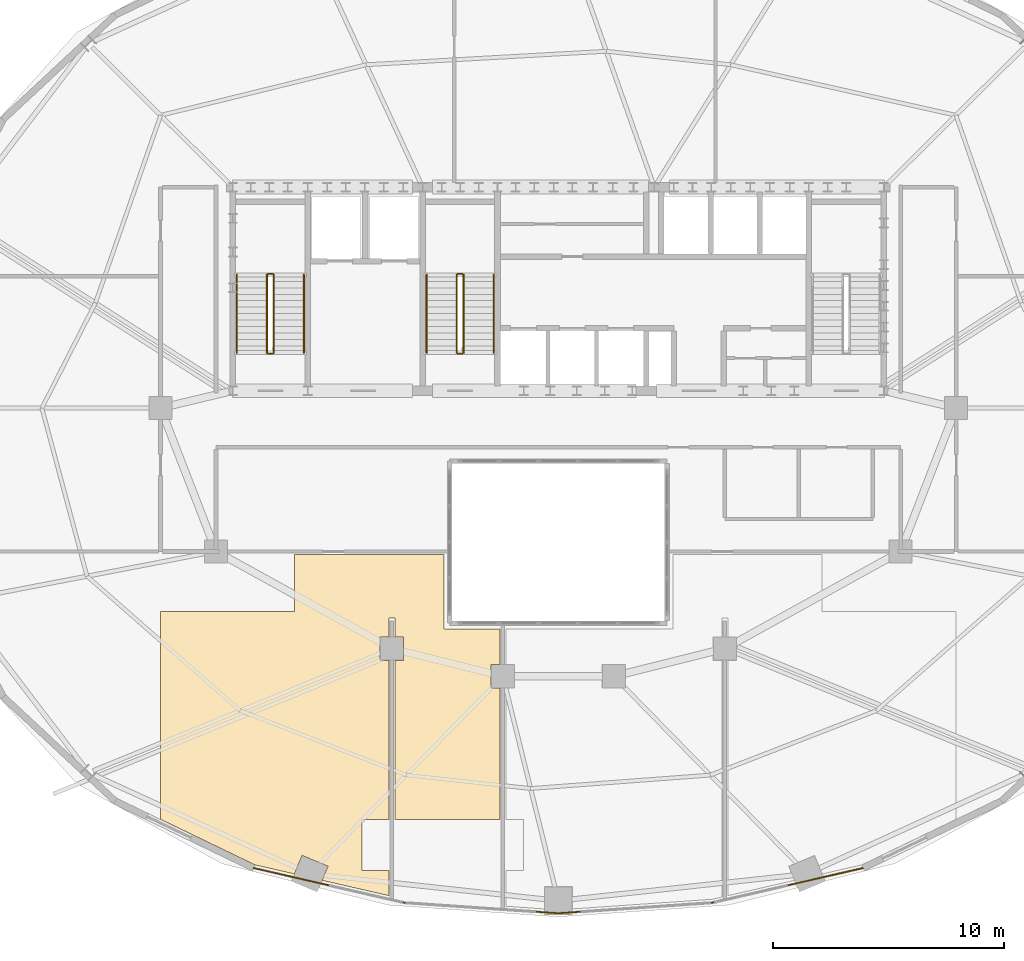
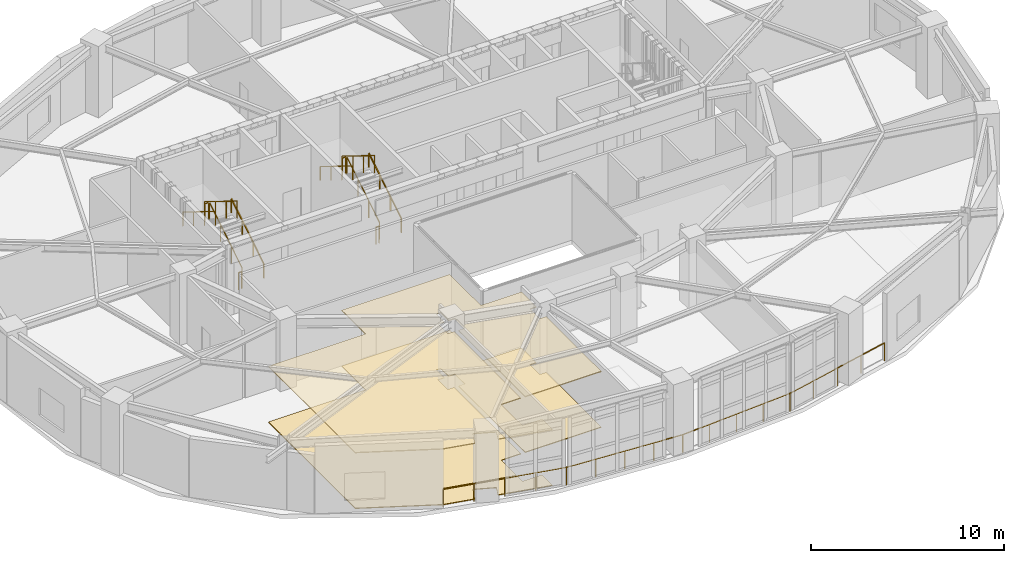
# One storey, part 12 of 13: 16 railings, 2 coverings.
"""IFC4 building model written with IfcOpenShell, lengths in metres."""

import ifcopenshell
import ifcopenshell.guid

model = None  # the IFC model being written
_history = None  # IfcOwnerHistory: only IFC2X3 demands one
_inside = {}  # id of a spatial element -> (the spatial element, [elements in it])
_under = {}  # id of a project, library or spatial element -> (it, [spatial elements below it])
_declared = {}  # id of a project -> (the project, [libraries it declares])
_typed = {}  # id of a type object -> (the type object, [elements of that type])
_made_of = {}  # id of a material, layer set ... -> (it, [elements and type objects made of it])


def new_model(schema):
    """Start an empty IFC model of exactly this schema.

    Asked for "IFC4X3", IfcOpenShell would pick the latest addendum, in which some entities
    have other attributes; the version numbers below select the first issue.
    IFC2X3 requires an IfcOwnerHistory on every rooted entity: one is made here for all.
    """
    global model, _history
    if schema == "IFC4X3":
        model = ifcopenshell.file(schema_version=(4, 3, 0, 0))
    else:
        model = ifcopenshell.file(schema=schema)
    _inside.clear()
    _under.clear()
    _declared.clear()
    _typed.clear()
    _made_of.clear()
    _history = None
    if model.schema == "IFC2X3":
        org = make("IfcOrganization", Name="unknown")
        user = make(
            "IfcPersonAndOrganization",
            ThePerson=make("IfcPerson", FamilyName="unknown"),
            TheOrganization=org,
        )
        app = make(
            "IfcApplication",
            ApplicationDeveloper=org,
            Version="unknown",
            ApplicationFullName="unknown",
            ApplicationIdentifier="unknown",
        )
        _history = make(
            "IfcOwnerHistory",
            OwningUser=user,
            OwningApplication=app,
            ChangeAction="ADDED",
            CreationDate=0,
        )
    return model


def make(cls, **values):
    """One entity of the class cls with the attributes given. An attribute that is None is left unset."""
    return model.create_entity(
        cls, **{name: value for name, value in values.items() if value is not None}
    )


def rooted(cls, **values):
    """An entity with a GlobalId (a new one), such as an element, a storey or a relation."""
    return make(cls, GlobalId=ifcopenshell.guid.new(), OwnerHistory=_history, **values)


def si_unit(unit_type, name, prefix=None):
    """IfcSIUnit, for example si_unit("LENGTHUNIT", "METRE", prefix="MILLI")."""
    return make("IfcSIUnit", UnitType=unit_type, Prefix=prefix, Name=name)


def assignment(units):
    """IfcUnitAssignment: the units of a project."""
    return None if units is None else make("IfcUnitAssignment", Units=units)


def point(xyz):
    """IfcCartesianPoint."""
    return None if xyz is None else make("IfcCartesianPoint", Coordinates=xyz)


def direction(xyz):
    """IfcDirection."""
    return None if xyz is None else make("IfcDirection", DirectionRatios=xyz)


def frame(location, z_axis=None, x_axis=None):
    """IfcAxis2Placement3D, a coordinate frame: its origin and axes. An axis left out is left unset."""
    return make(
        "IfcAxis2Placement3D",
        Location=point(location),
        Axis=direction(z_axis),
        RefDirection=direction(x_axis),
    )


def frame_2d(location, x_axis=None):
    """IfcAxis2Placement2D, a coordinate frame in the plane: its origin and x axis."""
    return make(
        "IfcAxis2Placement2D", Location=point(location), RefDirection=direction(x_axis)
    )


def origin():
    """The frame at (0, 0, 0) with its axes left unset."""
    return frame((0.0, 0.0, 0.0))


def origin_2d():
    """The frame at (0, 0) in the plane with its x axis left unset."""
    return frame_2d((0.0, 0.0))


def place(relative_to, where):
    """IfcLocalPlacement: puts the frame where relative to a parent placement (None: the world)."""
    return make(
        "IfcLocalPlacement", PlacementRelTo=relative_to, RelativePlacement=where
    )


def context(
    kind, dimensions, precision=None, world=None, true_north=None, identifier=None
):
    """IfcGeometricRepresentationContext, for example the 3D "Model" context."""
    return make(
        "IfcGeometricRepresentationContext",
        ContextIdentifier=identifier,
        ContextType=kind,
        CoordinateSpaceDimension=dimensions,
        Precision=precision,
        WorldCoordinateSystem=world,
        TrueNorth=true_north,
    )


def subcontext(parent, identifier, kind, view, scale=None):
    """IfcGeometricRepresentationSubContext, for example "Body" below "Model"."""
    return make(
        "IfcGeometricRepresentationSubContext",
        ContextIdentifier=identifier,
        ContextType=kind,
        ParentContext=parent,
        TargetScale=scale,
        TargetView=view,
    )


def project(units=None, contexts=None):
    """IfcProject with its units and contexts."""
    return rooted(
        "IfcProject",
        Name="project",
        RepresentationContexts=contexts,
        UnitsInContext=assignment(units),
    )


def spatial(cls, under=None, at=None, **own):
    """A site, building, storey or space (cls), placed at a placement, below another one or the project."""
    s = rooted(cls, ObjectPlacement=at, **own)
    if under is not None:
        _under.setdefault(under.id(), (under, []))[1].append(s)
    return s


def polyline(points):
    """IfcPolyline through the points."""
    return make("IfcPolyline", Points=[point(p) for p in points])


def profile(cls, at=None, kind="AREA", **sizes):
    """A parametric profile (cls). Its sizes go by their IFC names, for example OverallWidth=200.0."""
    return make(cls, ProfileType=kind, Position=at, **sizes)


def rectangle(**sizes):
    """IfcRectangleProfileDef."""
    return profile("IfcRectangleProfileDef", **sizes)


def outline(outer, holes=None, kind="AREA"):
    """IfcArbitraryClosedProfileDef: a profile drawn as a closed curve; with holes, ...WithVoids."""
    if holes is None:
        return make("IfcArbitraryClosedProfileDef", ProfileType=kind, OuterCurve=outer)
    return make(
        "IfcArbitraryProfileDefWithVoids",
        ProfileType=kind,
        OuterCurve=outer,
        InnerCurves=holes,
    )


def extrude(swept, where, along, depth):
    """IfcExtrudedAreaSolid: the profile swept, set in the frame where, extruded along a direction by depth."""
    return make(
        "IfcExtrudedAreaSolid",
        SweptArea=swept,
        Position=where,
        ExtrudedDirection=direction(along),
        Depth=depth,
    )


def shape(context_of_items, identifier, shape_type, items):
    """IfcShapeRepresentation: the items that make up one representation, for example the "Body"."""
    return make(
        "IfcShapeRepresentation",
        ContextOfItems=context_of_items,
        RepresentationIdentifier=identifier,
        RepresentationType=shape_type,
        Items=items,
    )


def material(Name=None, Category=None):
    """IfcMaterial."""
    return make("IfcMaterial", Name=Name, Category=Category)


def layer(
    of_material, thickness, ventilated=None, Name=None, Category=None, Priority=None
):
    """IfcMaterialLayer: one layer of a wall or slab, of a material (None: an air gap)."""
    return make(
        "IfcMaterialLayer",
        Material=of_material,
        LayerThickness=thickness,
        IsVentilated=ventilated,
        Name=Name,
        Category=Category,
        Priority=Priority,
    )


def layer_set(layers, Name=None):
    """IfcMaterialLayerSet."""
    return make("IfcMaterialLayerSet", MaterialLayers=layers, LayerSetName=Name)


def made_of(thing, what):
    """Note that an element or type object is made of a material, layer set ...; save() writes the relation."""
    if what is not None:
        _made_of.setdefault(what.id(), (what, []))[1].append(thing)
    return thing


def type_object(cls, material=None, **own):
    """A type object (cls), such as IfcWallType, which elements share."""
    return made_of(rooted(cls, **own), material)


def element(
    cls,
    number,
    at=None,
    inside=None,
    cuts=None,
    type_object=None,
    material=None,
    context=None,
    identifier="Body",
    shape_type=None,
    held_by="IfcProductDefinitionShape",
    body=None,
    shapes=None,
    **own,
):
    """One element of the class cls, such as IfcWall. Its Tag is "e" and its number.

    at: its placement. inside: the storey or other place that contains it. cuts: it is an
    opening in that element (IfcRelVoidsElement). A single representation is given by context,
    identifier, shape_type and body (its items); several are given by shapes. held_by: the class
    of the entity that holds the representations. save() writes the other relations.
    """
    e = rooted(cls, Tag="e%d" % number, ObjectPlacement=at, **own)
    if body is not None:
        shapes = [shape(context, identifier, shape_type, body)]
    if shapes is not None:
        e.Representation = make(held_by, Representations=shapes)
    if inside is not None:
        _inside.setdefault(inside.id(), (inside, []))[1].append(e)
    if cuts is not None:
        rooted(
            "IfcRelVoidsElement", RelatingBuildingElement=cuts, RelatedOpeningElement=e
        )
    if type_object is not None:
        _typed.setdefault(type_object.id(), (type_object, []))[1].append(e)
    return made_of(e, material)


def aggregate(whole, parts):
    """IfcRelAggregates: a whole, such as a stair, and the parts it consists of."""
    return rooted("IfcRelAggregates", RelatingObject=whole, RelatedObjects=parts)


def save(model, path):
    """Write the relations noted so far, then the file.

    IfcRelAggregates (storeys below a building ...), IfcRelContainedInSpatialStructure (elements
    in a storey), IfcRelDefinesByType, IfcRelAssociatesMaterial and IfcRelDeclares: one each for
    every whole, place, type object, material and project.
    """
    for whole, parts in _under.values():
        aggregate(whole, parts)
    for where, things in _inside.values():
        rooted(
            "IfcRelContainedInSpatialStructure",
            RelatedElements=things,
            RelatingStructure=where,
        )
    for kind, things in _typed.values():
        rooted("IfcRelDefinesByType", RelatedObjects=things, RelatingType=kind)
    for what, things in _made_of.values():
        rooted("IfcRelAssociatesMaterial", RelatedObjects=things, RelatingMaterial=what)
    for by, libraries in _declared.values():
        rooted("IfcRelDeclares", RelatingContext=by, RelatedDefinitions=libraries)
    model.write(path)


model = new_model("IFC4")

# Units and contexts
model_context = context("Model", 3, precision=1e-05, world=origin(), true_north=direction((0.0, 1.0)))
body_context = subcontext(model_context, "Body", "Model", "MODEL_VIEW")
ifc_project = project(units=[si_unit("LENGTHUNIT", "METRE"), si_unit("AREAUNIT", "SQUARE_METRE"), si_unit("VOLUMEUNIT", "CUBIC_METRE"), si_unit("PLANEANGLEUNIT", "RADIAN"), si_unit("MASSUNIT", "GRAM", prefix="KILO")], contexts=[model_context])

# Site, building, storey
site_placement = place(None, origin())
site = spatial("IfcSite", under=ifc_project, at=site_placement, CompositionType="ELEMENT")
building_placement = place(site_placement, origin())
building = spatial("IfcBuilding", under=site, at=building_placement, Name="Haldorwick Loom Tower", CompositionType="ELEMENT")
storey_placement = place(building_placement, frame((0.0, 0.0, 188.949951171875)))
storey = spatial("IfcBuildingStorey", under=building, at=storey_placement, Name="L51", CompositionType="ELEMENT", Elevation=188.949951171875)

# Coverings
ifc_material_1 = material(Name="Mineral Fibre Acoustic Ceiling Tile")
ifc_layer_1 = layer(ifc_material_1, 0.054931640625, Name="Mineral Fibre Acoustic Ceiling Tile")
ifc_layer_set_1 = layer_set([ifc_layer_1], Name="Mineral Fibre Acoustic Ceiling Tile")
covering_type_1 = type_object("IfcCoveringType", Name="ARC-COV-CEIL2", PredefinedType="CEILING", material=ifc_layer_set_1)
covering_1_placement = place(storey_placement, frame((0.0, 0.0, 3.509033203125)))
element("IfcCovering", 1, at=covering_1_placement, inside=storey, type_object=covering_type_1, Name="L51 Acoustic Suspended Ceiling 2", PredefinedType="CEILING", context=body_context, shape_type="SweptSolid", body=[
    extrude(outline(polyline([(28.929931640625, 8.199951171875), (33.469970703125, 8.199951171875), (33.469970703125, 13.89208984375), (33.092041015625, 13.89208984375), (33.092041015625, 14.907958984375), (33.469970703125, 14.907958984375), (33.469970703125, 16.449951171875), (31.050048828125, 16.449951171875), (31.050048828125, 19.669921875), (24.60009765625, 19.669921875), (24.60009765625, 17.199951171875), (18.800048828125, 17.199951171875), (18.800048828125, 8.217041015625), (22.876953125, 6.246826171875), (24.586181640625, 5.853759765625), (24.91748046875, 6.65380859375), (26.041015625, 6.1884765625), (25.787841796875, 5.577392578125), (28.669921875, 4.914306640625), (28.669921875, 6.0), (27.5, 6.0), (27.5, 8.199951171875), (28.669921875, 8.199951171875), (28.669921875, 15.092041015625), (28.2919921875, 15.092041015625), (28.2919921875, 16.10791015625), (28.669921875, 16.10791015625), (28.669921875, 16.909912109375), (28.670166015625, 16.912109375), (28.67041015625, 16.913818359375), (28.6708984375, 16.915771484375), (28.67138671875, 16.917724609375), (28.67236328125, 16.91943359375), (28.67333984375, 16.921142578125), (28.674560546875, 16.922607421875), (28.67578125, 16.924072265625), (28.67724609375, 16.925537109375), (28.678955078125, 16.926513671875), (28.6806640625, 16.927490234375), (28.682373046875, 16.928466796875), (28.68408203125, 16.92919921875), (28.68603515625, 16.9296875), (28.68798828125, 16.929931640625), (28.68994140625, 16.929931640625), (28.909912109375, 16.929931640625), (28.912109375, 16.929931640625), (28.913818359375, 16.9296875), (28.915771484375, 16.92919921875), (28.917724609375, 16.928466796875), (28.91943359375, 16.927490234375), (28.921142578125, 16.926513671875), (28.922607421875, 16.925537109375), (28.924072265625, 16.924072265625), (28.925537109375, 16.922607421875), (28.926513671875, 16.921142578125), (28.927490234375, 16.91943359375), (28.928466796875, 16.917724609375), (28.92919921875, 16.915771484375), (28.9296875, 16.913818359375), (28.929931640625, 16.912109375), (28.929931640625, 16.909912109375), (28.929931640625, 16.10791015625), (29.30810546875, 16.10791015625), (29.30810546875, 15.092041015625), (28.929931640625, 15.092041015625), (28.929931640625, 8.199951171875)])), origin(), (0.0, 0.0, 1.0), 0.054931640625),
])
ifc_material_2 = material(Name="Polished Aggregate Terrazzo Finish")
ifc_layer_2 = layer(ifc_material_2, 0.044921875, Name="Polished Aggregate Terrazzo Finish")
ifc_layer_set_2 = layer_set([ifc_layer_2], Name="Polished Aggregate Terrazzo Finish")
covering_type_2 = type_object("IfcCoveringType", Name="ARC-COV-FLOOR2", PredefinedType="FLOORING", material=ifc_layer_set_2)
covering_2_placement = place(storey_placement, origin())
element("IfcCovering", 2, at=covering_2_placement, inside=storey, type_object=covering_type_2, Name="L51 Floor Finish 2", PredefinedType="FLOORING", context=body_context, shape_type="SweptSolid", body=[
    extrude(outline(polyline([(28.929931640625, 8.199951171875), (33.469970703125, 8.199951171875), (33.469970703125, 13.89208984375), (33.092041015625, 13.89208984375), (33.092041015625, 14.907958984375), (33.469970703125, 14.907958984375), (33.469970703125, 16.449951171875), (31.050048828125, 16.449951171875), (31.050048828125, 19.669921875), (24.60009765625, 19.669921875), (24.60009765625, 17.199951171875), (18.800048828125, 17.199951171875), (18.800048828125, 8.217041015625), (22.876953125, 6.246826171875), (24.586181640625, 5.853759765625), (24.91748046875, 6.65380859375), (26.041015625, 6.1884765625), (25.787841796875, 5.577392578125), (28.669921875, 4.914306640625), (28.669921875, 6.0), (27.5, 6.0), (27.5, 8.199951171875), (28.669921875, 8.199951171875), (28.669921875, 15.092041015625), (28.2919921875, 15.092041015625), (28.2919921875, 16.10791015625), (28.669921875, 16.10791015625), (28.669921875, 16.909912109375), (28.670166015625, 16.912109375), (28.67041015625, 16.913818359375), (28.6708984375, 16.915771484375), (28.67138671875, 16.917724609375), (28.67236328125, 16.91943359375), (28.67333984375, 16.921142578125), (28.674560546875, 16.922607421875), (28.67578125, 16.924072265625), (28.67724609375, 16.925537109375), (28.678955078125, 16.926513671875), (28.6806640625, 16.927490234375), (28.682373046875, 16.928466796875), (28.68408203125, 16.92919921875), (28.68603515625, 16.9296875), (28.68798828125, 16.929931640625), (28.68994140625, 16.929931640625), (28.909912109375, 16.929931640625), (28.912109375, 16.929931640625), (28.913818359375, 16.9296875), (28.915771484375, 16.92919921875), (28.917724609375, 16.928466796875), (28.91943359375, 16.927490234375), (28.921142578125, 16.926513671875), (28.922607421875, 16.925537109375), (28.924072265625, 16.924072265625), (28.925537109375, 16.922607421875), (28.926513671875, 16.921142578125), (28.927490234375, 16.91943359375), (28.928466796875, 16.917724609375), (28.92919921875, 16.915771484375), (28.9296875, 16.913818359375), (28.929931640625, 16.912109375), (28.929931640625, 16.909912109375), (28.929931640625, 16.10791015625), (29.30810546875, 16.10791015625), (29.30810546875, 15.092041015625), (28.929931640625, 15.092041015625), (28.929931640625, 8.199951171875)])), origin(), (0.0, 0.0, 1.0), 0.045166015625),
])

# Railings
ifc_material_3 = material(Name="Galvanized Steel CSA G40.21 350W", Category="steel")
railing_type_1 = type_object("IfcRailingType", Name="ARC-RLG-BAL115", PredefinedType="BALUSTRADE", material=ifc_material_3)
railing_1_placement = place(storey_placement, frame((22.82861328125, 6.109130859375, 0.0)))
element("IfcRailing", 3, at=railing_1_placement, inside=storey, type_object=railing_type_1, Name="L51 Curtain-Wall Sill Safety Guardrail 17", PredefinedType="BALUSTRADE", context=body_context, shape_type="SweptSolid", body=[
    extrude(rectangle(XDim=0.048095703125, YDim=0.048095703125, at=origin_2d()), frame((0.0, 0.0, 1.1259765625), z_axis=(0.974557343474, -0.224138315065, 0.0), x_axis=(0.224138315065, 0.974557343474, 0.0)), (0.0, 0.0, 1.0), 6.676025390625),
    extrude(rectangle(XDim=0.0419921875, YDim=0.0419921875, at=origin_2d()), origin(), (0.0, 0.0, 1.0), 1.101806640625),
    extrude(rectangle(XDim=0.0419921875, YDim=0.0419921875, at=origin_2d()), frame((1.62646484375, -0.3740234375, 0.0)), (0.0, 0.0, 1.0), 1.101806640625),
    extrude(rectangle(XDim=0.0419921875, YDim=0.0419921875, at=origin_2d()), frame((3.2529296875, -0.748046875, 0.0)), (0.0, 0.0, 1.0), 1.101806640625),
    extrude(rectangle(XDim=0.0419921875, YDim=0.0419921875, at=origin_2d()), frame((4.879638671875, -1.122314453125, 0.0)), (0.0, 0.0, 1.0), 1.101806640625),
    extrude(rectangle(XDim=0.0419921875, YDim=0.0419921875, at=origin_2d()), frame((6.506103515625, -1.496337890625, 0.0)), (0.0, 0.0, 1.0), 1.101806640625),
])
railing_2_placement = place(storey_placement, frame((29.334716796875, 4.61279296875, 0.0)))
element("IfcRailing", 4, at=railing_2_placement, inside=storey, type_object=railing_type_1, Name="L51 Curtain-Wall Sill Safety Guardrail 18", PredefinedType="BALUSTRADE", context=body_context, shape_type="SweptSolid", body=[
    extrude(rectangle(XDim=0.048095703125, YDim=0.048095703125, at=origin_2d()), frame((0.0, 0.0, 1.1259765625), z_axis=(0.99764992135, -0.068517402386, 0.0), x_axis=(0.068517402386, 0.99764992135, 0.0)), (0.0, 0.0, 1.0), 6.680908203125),
    extrude(rectangle(XDim=0.0419921875, YDim=0.0419921875, at=origin_2d()), origin(), (0.0, 0.0, 1.0), 1.101806640625),
    extrude(rectangle(XDim=0.0419921875, YDim=0.0419921875, at=origin_2d()), frame((1.666259765625, -0.114501953125, 0.0)), (0.0, 0.0, 1.0), 1.101806640625),
    extrude(rectangle(XDim=0.0419921875, YDim=0.0419921875, at=origin_2d()), frame((3.33251953125, -0.22900390625, 0.0)), (0.0, 0.0, 1.0), 1.101806640625),
    extrude(rectangle(XDim=0.0419921875, YDim=0.0419921875, at=origin_2d()), frame((4.9990234375, -0.34326171875, 0.0)), (0.0, 0.0, 1.0), 1.101806640625),
    extrude(rectangle(XDim=0.0419921875, YDim=0.0419921875, at=origin_2d()), frame((6.665283203125, -0.457763671875, 0.0)), (0.0, 0.0, 1.0), 1.101806640625),
])
railing_3_placement = place(storey_placement, frame((36.0, 4.155029296875, 0.0)))
element("IfcRailing", 5, at=railing_3_placement, inside=storey, type_object=railing_type_1, Name="L51 Curtain-Wall Sill Safety Guardrail 19", PredefinedType="BALUSTRADE", context=body_context, shape_type="SweptSolid", body=[
    extrude(rectangle(XDim=0.048095703125, YDim=0.048095703125, at=origin_2d()), frame((0.0, 0.0, 1.1259765625), z_axis=(0.99764992135, 0.068517402386, 0.0), x_axis=(-0.068517402386, 0.99764992135, 0.0)), (0.0, 0.0, 1.0), 6.680908203125),
    extrude(rectangle(XDim=0.0419921875, YDim=0.0419921875, at=origin_2d()), origin(), (0.0, 0.0, 1.0), 1.101806640625),
    extrude(rectangle(XDim=0.0419921875, YDim=0.0419921875, at=origin_2d()), frame((1.666259765625, 0.114501953125, 0.0)), (0.0, 0.0, 1.0), 1.101806640625),
    extrude(rectangle(XDim=0.0419921875, YDim=0.0419921875, at=origin_2d()), frame((3.33251953125, 0.22900390625, 0.0)), (0.0, 0.0, 1.0), 1.101806640625),
    extrude(rectangle(XDim=0.0419921875, YDim=0.0419921875, at=origin_2d()), frame((4.9990234375, 0.34326171875, 0.0)), (0.0, 0.0, 1.0), 1.101806640625),
    extrude(rectangle(XDim=0.0419921875, YDim=0.0419921875, at=origin_2d()), frame((6.665283203125, 0.457763671875, 0.0)), (0.0, 0.0, 1.0), 1.101806640625),
])
railing_4_placement = place(storey_placement, frame((42.665283203125, 4.61279296875, 0.0)))
element("IfcRailing", 6, at=railing_4_placement, inside=storey, type_object=railing_type_1, Name="L51 Curtain-Wall Sill Safety Guardrail 20", PredefinedType="BALUSTRADE", context=body_context, shape_type="SweptSolid", body=[
    extrude(rectangle(XDim=0.048095703125, YDim=0.048095703125, at=origin_2d()), frame((0.0, 0.0, 1.1259765625), z_axis=(0.974557343474, 0.224138315065, 0.0), x_axis=(-0.224138315065, 0.974557343474, 0.0)), (0.0, 0.0, 1.0), 6.676025390625),
    extrude(rectangle(XDim=0.0419921875, YDim=0.0419921875, at=origin_2d()), origin(), (0.0, 0.0, 1.0), 1.101806640625),
    extrude(rectangle(XDim=0.0419921875, YDim=0.0419921875, at=origin_2d()), frame((1.62646484375, 0.3740234375, 0.0)), (0.0, 0.0, 1.0), 1.101806640625),
    extrude(rectangle(XDim=0.0419921875, YDim=0.0419921875, at=origin_2d()), frame((3.2529296875, 0.748046875, 0.0)), (0.0, 0.0, 1.0), 1.101806640625),
    extrude(rectangle(XDim=0.0419921875, YDim=0.0419921875, at=origin_2d()), frame((4.879638671875, 1.122314453125, 0.0)), (0.0, 0.0, 1.0), 1.101806640625),
    extrude(rectangle(XDim=0.0419921875, YDim=0.0419921875, at=origin_2d()), frame((6.506103515625, 1.496337890625, 0.0)), (0.0, 0.0, 1.0), 1.101806640625),
])
ifc_material_4 = material(Name="Steel CSA G40.21 350W", Category="steel")
railing_type_2 = type_object("IfcRailingType", Name="ARC-RLG-GUARD112", PredefinedType="GUARDRAIL", material=ifc_material_4)
railing_5_placement = place(storey_placement, frame((23.699951171875, 28.39990234375, 0.173095703125)))
element("IfcRailing", 7, at=railing_5_placement, inside=storey, type_object=railing_type_2, Name="L51 ST-01 stair guard 1", PredefinedType="GUARDRAIL", context=body_context, shape_type="SweptSolid", body=[
    extrude(rectangle(XDim=0.048095703125, YDim=0.048095703125, at=origin_2d()), frame((0.0, 0.0, 1.076171875), z_axis=(0.0, 0.850623216509, 0.525775754039), x_axis=(-1.0, 0.0, 0.0)), (0.0, 0.0, 1.0), 3.9501953125),
    extrude(rectangle(XDim=0.0419921875, YDim=0.0419921875, at=origin_2d()), origin(), (0.0, 0.0, 1.0), 1.052001953125),
    extrude(rectangle(XDim=0.0419921875, YDim=0.0419921875, at=origin_2d()), frame((0.0, 1.1201171875, 0.6923828125)), (0.0, 0.0, 1.0), 1.052001953125),
    extrude(rectangle(XDim=0.0419921875, YDim=0.0419921875, at=origin_2d()), frame((0.0, 2.239990234375, 1.384521484375)), (0.0, 0.0, 1.0), 1.052001953125),
    extrude(rectangle(XDim=0.0419921875, YDim=0.0419921875, at=origin_2d()), frame((0.0, 3.360107421875, 2.076904296875)), (0.0, 0.0, 1.0), 1.052001953125),
])
railing_6_placement = place(storey_placement, frame((23.64990234375, 31.81005859375, 2.25)))
element("IfcRailing", 8, at=railing_6_placement, inside=storey, type_object=railing_type_2, Name="L51 ST-01 stair guard 2", PredefinedType="GUARDRAIL", context=body_context, shape_type="SweptSolid", body=[
    extrude(rectangle(XDim=0.048095703125, YDim=0.048095703125, at=origin_2d()), frame((0.0, 0.0, 1.076171875), z_axis=(-1.0, 0.0, 0.0), x_axis=(0.0, -1.0, 0.0)), (0.0, 0.0, 1.0), 0.199951171875),
    extrude(rectangle(XDim=0.0419921875, YDim=0.0419921875, at=origin_2d()), origin(), (0.0, 0.0, 1.0), 1.052001953125),
    extrude(rectangle(XDim=0.0419921875, YDim=0.0419921875, at=origin_2d()), frame((-0.199951171875, 0.0, 0.0)), (0.0, 0.0, 1.0), 1.052001953125),
])
railing_7_placement = place(storey_placement, frame((23.39990234375, 31.760009765625, 2.423095703125)))
element("IfcRailing", 9, at=railing_7_placement, inside=storey, type_object=railing_type_2, Name="L51 ST-01 stair guard 3", PredefinedType="GUARDRAIL", context=body_context, shape_type="SweptSolid", body=[
    extrude(rectangle(XDim=0.048095703125, YDim=0.048095703125, at=origin_2d()), frame((0.0, 0.0, 1.076171875), z_axis=(0.0, -0.850623216509, 0.525775754039), x_axis=(1.0, 0.0, 0.0)), (0.0, 0.0, 1.0), 3.9501953125),
    extrude(rectangle(XDim=0.0419921875, YDim=0.0419921875, at=origin_2d()), origin(), (0.0, 0.0, 1.0), 1.052001953125),
    extrude(rectangle(XDim=0.0419921875, YDim=0.0419921875, at=origin_2d()), frame((0.0, -1.1201171875, 0.6923828125)), (0.0, 0.0, 1.0), 1.052001953125),
    extrude(rectangle(XDim=0.0419921875, YDim=0.0419921875, at=origin_2d()), frame((0.0, -2.239990234375, 1.384521484375)), (0.0, 0.0, 1.0), 1.052001953125),
    extrude(rectangle(XDim=0.0419921875, YDim=0.0419921875, at=origin_2d()), frame((0.0, -3.360107421875, 2.076904296875)), (0.0, 0.0, 1.0), 1.052001953125),
])
railing_8_placement = place(storey_placement, frame((23.64990234375, 28.35009765625, 0.0)))
element("IfcRailing", 10, at=railing_8_placement, inside=storey, type_object=railing_type_2, Name="L51 ST-01 stair guard 4", PredefinedType="GUARDRAIL", context=body_context, shape_type="SweptSolid", body=[
    extrude(rectangle(XDim=0.048095703125, YDim=0.048095703125, at=origin_2d()), frame((0.0, 0.0, 1.076171875), z_axis=(-1.0, 0.0, 0.0), x_axis=(0.0, -1.0, 0.0)), (0.0, 0.0, 1.0), 0.199951171875),
    extrude(rectangle(XDim=0.0419921875, YDim=0.0419921875, at=origin_2d()), origin(), (0.0, 0.0, 1.0), 1.052001953125),
    extrude(rectangle(XDim=0.0419921875, YDim=0.0419921875, at=origin_2d()), frame((-0.199951171875, 0.0, 0.0)), (0.0, 0.0, 1.0), 1.052001953125),
])
railing_9_placement = place(storey_placement, frame((31.89990234375, 28.39990234375, 0.173095703125)))
element("IfcRailing", 11, at=railing_9_placement, inside=storey, type_object=railing_type_2, Name="L51 ST-03 stair guard 1", PredefinedType="GUARDRAIL", context=body_context, shape_type="SweptSolid", body=[
    extrude(rectangle(XDim=0.048095703125, YDim=0.048095703125, at=origin_2d()), frame((0.0, 0.0, 1.076171875), z_axis=(0.0, 0.850623216509, 0.525775754039), x_axis=(-1.0, 0.0, 0.0)), (0.0, 0.0, 1.0), 3.9501953125),
    extrude(rectangle(XDim=0.0419921875, YDim=0.0419921875, at=origin_2d()), origin(), (0.0, 0.0, 1.0), 1.052001953125),
    extrude(rectangle(XDim=0.0419921875, YDim=0.0419921875, at=origin_2d()), frame((0.0, 1.1201171875, 0.6923828125)), (0.0, 0.0, 1.0), 1.052001953125),
    extrude(rectangle(XDim=0.0419921875, YDim=0.0419921875, at=origin_2d()), frame((0.0, 2.239990234375, 1.384521484375)), (0.0, 0.0, 1.0), 1.052001953125),
    extrude(rectangle(XDim=0.0419921875, YDim=0.0419921875, at=origin_2d()), frame((0.0, 3.360107421875, 2.076904296875)), (0.0, 0.0, 1.0), 1.052001953125),
])
railing_10_placement = place(storey_placement, frame((31.85009765625, 31.81005859375, 2.25)))
element("IfcRailing", 12, at=railing_10_placement, inside=storey, type_object=railing_type_2, Name="L51 ST-03 stair guard 2", PredefinedType="GUARDRAIL", context=body_context, shape_type="SweptSolid", body=[
    extrude(rectangle(XDim=0.048095703125, YDim=0.048095703125, at=origin_2d()), frame((0.0, 0.0, 1.076171875), z_axis=(-1.0, 0.0, 0.0), x_axis=(0.0, -1.0, 0.0)), (0.0, 0.0, 1.0), 0.2001953125),
    extrude(rectangle(XDim=0.0419921875, YDim=0.0419921875, at=origin_2d()), origin(), (0.0, 0.0, 1.0), 1.052001953125),
    extrude(rectangle(XDim=0.0419921875, YDim=0.0419921875, at=origin_2d()), frame((-0.2001953125, 0.0, 0.0)), (0.0, 0.0, 1.0), 1.052001953125),
])
railing_11_placement = place(storey_placement, frame((31.60009765625, 31.760009765625, 2.423095703125)))
element("IfcRailing", 13, at=railing_11_placement, inside=storey, type_object=railing_type_2, Name="L51 ST-03 stair guard 3", PredefinedType="GUARDRAIL", context=body_context, shape_type="SweptSolid", body=[
    extrude(rectangle(XDim=0.048095703125, YDim=0.048095703125, at=origin_2d()), frame((0.0, 0.0, 1.076171875), z_axis=(0.0, -0.850623216509, 0.525775754039), x_axis=(1.0, 0.0, 0.0)), (0.0, 0.0, 1.0), 3.9501953125),
    extrude(rectangle(XDim=0.0419921875, YDim=0.0419921875, at=origin_2d()), origin(), (0.0, 0.0, 1.0), 1.052001953125),
    extrude(rectangle(XDim=0.0419921875, YDim=0.0419921875, at=origin_2d()), frame((0.0, -1.1201171875, 0.6923828125)), (0.0, 0.0, 1.0), 1.052001953125),
    extrude(rectangle(XDim=0.0419921875, YDim=0.0419921875, at=origin_2d()), frame((0.0, -2.239990234375, 1.384521484375)), (0.0, 0.0, 1.0), 1.052001953125),
    extrude(rectangle(XDim=0.0419921875, YDim=0.0419921875, at=origin_2d()), frame((0.0, -3.360107421875, 2.076904296875)), (0.0, 0.0, 1.0), 1.052001953125),
])
railing_12_placement = place(storey_placement, frame((31.85009765625, 28.35009765625, 0.0)))
element("IfcRailing", 14, at=railing_12_placement, inside=storey, type_object=railing_type_2, Name="L51 ST-03 stair guard 4", PredefinedType="GUARDRAIL", context=body_context, shape_type="SweptSolid", body=[
    extrude(rectangle(XDim=0.048095703125, YDim=0.048095703125, at=origin_2d()), frame((0.0, 0.0, 1.076171875), z_axis=(-1.0, 0.0, 0.0), x_axis=(0.0, -1.0, 0.0)), (0.0, 0.0, 1.0), 0.2001953125),
    extrude(rectangle(XDim=0.0419921875, YDim=0.0419921875, at=origin_2d()), origin(), (0.0, 0.0, 1.0), 1.052001953125),
    extrude(rectangle(XDim=0.0419921875, YDim=0.0419921875, at=origin_2d()), frame((-0.2001953125, 0.0, 0.0)), (0.0, 0.0, 1.0), 1.052001953125),
])
railing_type_3 = type_object("IfcRailingType", Name="ARC-RLG-HAND092", PredefinedType="HANDRAIL", material=ifc_material_4)
railing_13_placement = place(storey_placement, frame((25.0, 28.39990234375, 0.173095703125)))
element("IfcRailing", 15, at=railing_13_placement, inside=storey, type_object=railing_type_3, Name="L51 ST-01 stair handrail 1", PredefinedType="HANDRAIL", context=body_context, shape_type="SweptSolid", body=[
    extrude(rectangle(XDim=0.048095703125, YDim=0.048095703125, at=origin_2d()), frame((0.0, 0.0, 0.8759765625), z_axis=(0.0, 0.850623216509, 0.525775754039), x_axis=(-1.0, 0.0, 0.0)), (0.0, 0.0, 1.0), 3.9501953125),
    extrude(rectangle(XDim=0.0419921875, YDim=0.0419921875, at=origin_2d()), origin(), (0.0, 0.0, 1.0), 0.851806640625),
    extrude(rectangle(XDim=0.0419921875, YDim=0.0419921875, at=origin_2d()), frame((0.0, 1.1201171875, 0.6923828125)), (0.0, 0.0, 1.0), 0.851806640625),
    extrude(rectangle(XDim=0.0419921875, YDim=0.0419921875, at=origin_2d()), frame((0.0, 2.239990234375, 1.384521484375)), (0.0, 0.0, 1.0), 0.851806640625),
    extrude(rectangle(XDim=0.0419921875, YDim=0.0419921875, at=origin_2d()), frame((0.0, 3.360107421875, 2.076904296875)), (0.0, 0.0, 1.0), 0.851806640625),
])
railing_14_placement = place(storey_placement, frame((22.10009765625, 31.760009765625, 2.423095703125)))
element("IfcRailing", 16, at=railing_14_placement, inside=storey, type_object=railing_type_3, Name="L51 ST-01 stair handrail 2", PredefinedType="HANDRAIL", context=body_context, shape_type="SweptSolid", body=[
    extrude(rectangle(XDim=0.048095703125, YDim=0.048095703125, at=origin_2d()), frame((0.0, 0.0, 0.8759765625), z_axis=(0.0, -0.850623216509, 0.525775754039), x_axis=(1.0, 0.0, 0.0)), (0.0, 0.0, 1.0), 3.9501953125),
    extrude(rectangle(XDim=0.0419921875, YDim=0.0419921875, at=origin_2d()), origin(), (0.0, 0.0, 1.0), 0.851806640625),
    extrude(rectangle(XDim=0.0419921875, YDim=0.0419921875, at=origin_2d()), frame((0.0, -1.1201171875, 0.6923828125)), (0.0, 0.0, 1.0), 0.851806640625),
    extrude(rectangle(XDim=0.0419921875, YDim=0.0419921875, at=origin_2d()), frame((0.0, -2.239990234375, 1.384521484375)), (0.0, 0.0, 1.0), 0.851806640625),
    extrude(rectangle(XDim=0.0419921875, YDim=0.0419921875, at=origin_2d()), frame((0.0, -3.360107421875, 2.076904296875)), (0.0, 0.0, 1.0), 0.851806640625),
])
railing_15_placement = place(storey_placement, frame((33.199951171875, 28.39990234375, 0.173095703125)))
element("IfcRailing", 17, at=railing_15_placement, inside=storey, type_object=railing_type_3, Name="L51 ST-03 stair handrail 1", PredefinedType="HANDRAIL", context=body_context, shape_type="SweptSolid", body=[
    extrude(rectangle(XDim=0.048095703125, YDim=0.048095703125, at=origin_2d()), frame((0.0, 0.0, 0.8759765625), z_axis=(0.0, 0.850623216509, 0.525775754039), x_axis=(-1.0, 0.0, 0.0)), (0.0, 0.0, 1.0), 3.9501953125),
    extrude(rectangle(XDim=0.0419921875, YDim=0.0419921875, at=origin_2d()), origin(), (0.0, 0.0, 1.0), 0.851806640625),
    extrude(rectangle(XDim=0.0419921875, YDim=0.0419921875, at=origin_2d()), frame((0.0, 1.1201171875, 0.6923828125)), (0.0, 0.0, 1.0), 0.851806640625),
    extrude(rectangle(XDim=0.0419921875, YDim=0.0419921875, at=origin_2d()), frame((0.0, 2.239990234375, 1.384521484375)), (0.0, 0.0, 1.0), 0.851806640625),
    extrude(rectangle(XDim=0.0419921875, YDim=0.0419921875, at=origin_2d()), frame((0.0, 3.360107421875, 2.076904296875)), (0.0, 0.0, 1.0), 0.851806640625),
])
railing_16_placement = place(storey_placement, frame((30.300048828125, 31.760009765625, 2.423095703125)))
element("IfcRailing", 18, at=railing_16_placement, inside=storey, type_object=railing_type_3, Name="L51 ST-03 stair handrail 2", PredefinedType="HANDRAIL", context=body_context, shape_type="SweptSolid", body=[
    extrude(rectangle(XDim=0.048095703125, YDim=0.048095703125, at=origin_2d()), frame((0.0, 0.0, 0.8759765625), z_axis=(0.0, -0.850623216509, 0.525775754039), x_axis=(1.0, 0.0, 0.0)), (0.0, 0.0, 1.0), 3.9501953125),
    extrude(rectangle(XDim=0.0419921875, YDim=0.0419921875, at=origin_2d()), origin(), (0.0, 0.0, 1.0), 0.851806640625),
    extrude(rectangle(XDim=0.0419921875, YDim=0.0419921875, at=origin_2d()), frame((0.0, -1.1201171875, 0.6923828125)), (0.0, 0.0, 1.0), 0.851806640625),
    extrude(rectangle(XDim=0.0419921875, YDim=0.0419921875, at=origin_2d()), frame((0.0, -2.239990234375, 1.384521484375)), (0.0, 0.0, 1.0), 0.851806640625),
    extrude(rectangle(XDim=0.0419921875, YDim=0.0419921875, at=origin_2d()), frame((0.0, -3.360107421875, 2.076904296875)), (0.0, 0.0, 1.0), 0.851806640625),
])

save(model, "model.ifc")
